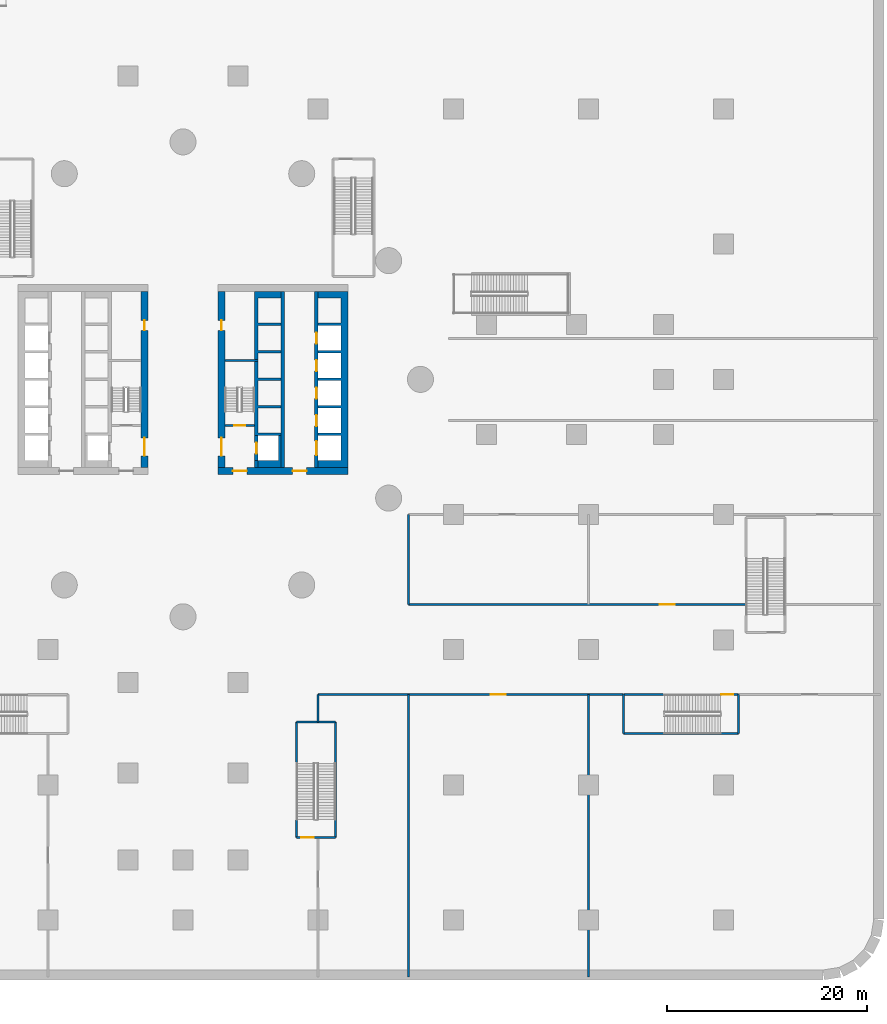
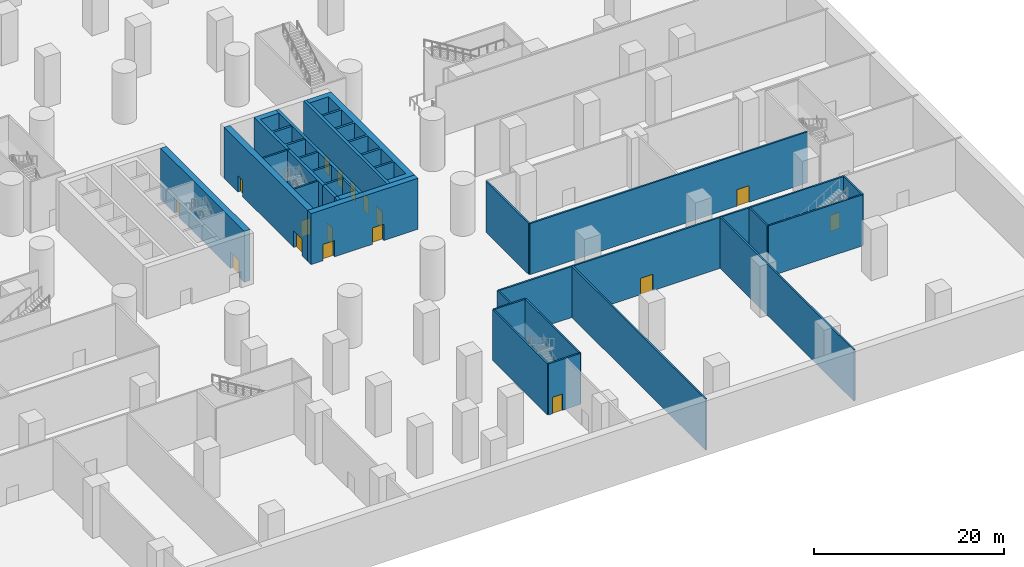
# One storey, part 6 of 30: 26 walls, 17 doors, 17 openings.
"""IFC4 building model written with IfcOpenShell, lengths in metres."""

from ifc_helpers import new_model, si_unit, direction, frame, frame_2d, origin, place, context, subcontext, project, spatial, polyline, rectangle, outline, extrude, material, layer, layer_set, type_object, element, fill, save


model = new_model("IFC4")

# Units and contexts
model_context = context("Model", 3, precision=1e-05, world=origin(), true_north=direction((0.0, 1.0)))
body_context = subcontext(model_context, "Body", "Model", "MODEL_VIEW")
ifc_project = project(units=[si_unit("LENGTHUNIT", "METRE"), si_unit("AREAUNIT", "SQUARE_METRE"), si_unit("VOLUMEUNIT", "CUBIC_METRE"), si_unit("PLANEANGLEUNIT", "RADIAN"), si_unit("MASSUNIT", "GRAM", prefix="KILO")], contexts=[model_context])

# Site, building, storey
site_placement = place(None, origin())
site = spatial("IfcSite", under=ifc_project, at=site_placement, CompositionType="ELEMENT")
building_placement = place(site_placement, origin())
building = spatial("IfcBuilding", under=site, at=building_placement, Name="Tamarind Cross Interchange Tower", CompositionType="ELEMENT")
storey_placement = place(building_placement, frame((0.0, 0.0, -14.0)))
storey = spatial("IfcBuildingStorey", under=building, at=storey_placement, Name="B2", CompositionType="ELEMENT", Elevation=-14.0)

# Wall, openings, doors
ifc_material_1 = material(Name="Concrete C80", Category="concrete")
ifc_layer_1 = layer(ifc_material_1, 0.699951171875)
ifc_layer_set_1 = layer_set([ifc_layer_1], Name="Concrete C80")
wall_type_1 = type_object("IfcWallType", Name="Core wall 700 mm Concrete C80", PredefinedType="SHEAR", material=ifc_layer_set_1)
wall_1_placement = place(storey_placement, frame((-3.85009765625, -8.800048828125, 0.0), z_axis=(0.0, 0.0, 1.0), x_axis=(0.0, 1.0, 0.0)))
wall_1 = element("IfcWall", 1, at=wall_1_placement, inside=storey, type_object=wall_type_1, Name="Core wall CWL-B2-W-IN", PredefinedType="SHEAR", context=body_context, shape_type="SweptSolid", body=[
    extrude(rectangle(XDim=17.60009765625, YDim=0.699951171875, at=frame_2d((8.800048828125, 0.0))), origin(), (0.0, 0.0, 1.0), 6.550048828125),
])
opening_1_placement = place(wall_1_placement, frame((1.14990234375, 0.0, 0.0)))
opening_1 = element("IfcOpeningElement", 2, at=opening_1_placement, cuts=wall_1, Name="Opening DCW4", PredefinedType="OPENING", context=body_context, shape_type="SweptSolid", body=[
    extrude(rectangle(XDim=1.800048828125, YDim=2.10009765625, at=frame_2d((0.89990234375, 1.050048828125))), frame((0.0, 0.35986328125, 0.0), z_axis=(0.0, -1.0, 0.0), x_axis=(1.0, 0.0, 0.0)), (0.0, 0.0, 1.0), 0.719970703125),
])
opening_2_placement = place(wall_1_placement, frame((13.699951171875, 0.0, 0.0)))
opening_2 = element("IfcOpeningElement", 3, at=opening_2_placement, cuts=wall_1, Name="Opening DCW5", PredefinedType="OPENING", context=body_context, shape_type="SweptSolid", body=[
    extrude(rectangle(XDim=1.0, YDim=2.10009765625, at=frame_2d((0.5, 1.050048828125))), frame((0.0, 0.35986328125, 0.0), z_axis=(0.0, -1.0, 0.0), x_axis=(1.0, 0.0, 0.0)), (0.0, 0.0, 1.0), 0.719970703125),
])
ifc_material_2 = material(Name="Steel, fire-resisting", Category="steel")
door_type_1 = type_object("IfcDoorType", Name="Core fire door 1000 x 2100 FD90", OperationType="SINGLE_SWING_LEFT", PredefinedType="DOOR", material=ifc_material_2)
door_1_placement = place(opening_2_placement, origin())
door_1 = element("IfcDoor", 4, at=door_1_placement, inside=storey, type_object=door_type_1, Name="B2 riser room door", OperationType="SINGLE_SWING_LEFT", OverallHeight=2.10009765625, OverallWidth=1.0, PredefinedType="DOOR", context=body_context, shape_type="SweptSolid", body=[
    extrude(rectangle(XDim=1.0, YDim=2.10009765625, at=frame_2d((0.5, 1.050048828125))), frame((0.0, 0.02490234375, 0.0), z_axis=(0.0, -1.0, 0.0), x_axis=(1.0, 0.0, 0.0)), (0.0, 0.0, 1.0), 0.050048828125),
])
fill(opening_2, door_1)
door_type_2 = type_object("IfcDoorType", Name="Core fire door 1800 x 2100 FD90", OperationType="SINGLE_SWING_LEFT", PredefinedType="DOOR", material=ifc_material_2)
door_2_placement = place(opening_1_placement, origin())
door_2 = element("IfcDoor", 5, at=door_2_placement, inside=storey, type_object=door_type_2, Name="B2 firefighting lobby door", OperationType="SINGLE_SWING_LEFT", OverallHeight=2.10009765625, OverallWidth=1.800048828125, PredefinedType="DOOR", context=body_context, shape_type="SweptSolid", body=[
    extrude(rectangle(XDim=1.800048828125, YDim=2.10009765625, at=frame_2d((0.89990234375, 1.050048828125))), frame((0.0, 0.02490234375, 0.0), z_axis=(0.0, -1.0, 0.0), x_axis=(1.0, 0.0, 0.0)), (0.0, 0.0, 1.0), 0.050048828125),
])
fill(opening_1, door_2)

wall_2_placement = place(storey_placement, frame((16.5, -9.14990234375, 0.0), z_axis=(0.0, 0.0, 1.0), x_axis=(-1.0, 0.0, 0.0)))
wall_2 = element("IfcWall", 6, at=wall_2_placement, inside=storey, type_object=wall_type_1, Name="Core wall CWL-B2-E-S", PredefinedType="SHEAR", context=body_context, shape_type="SweptSolid", body=[
    extrude(rectangle(XDim=13.0, YDim=0.699951171875, at=frame_2d((6.5, 0.0))), origin(), (0.0, 0.0, 1.0), 6.550048828125),
])
opening_3_placement = place(wall_2_placement, frame((4.14990234375, 0.0, 0.0)))
opening_3 = element("IfcOpeningElement", 7, at=opening_3_placement, cuts=wall_2, Name="Opening DCE1", PredefinedType="OPENING", context=body_context, shape_type="SweptSolid", body=[
    extrude(rectangle(XDim=1.39990234375, YDim=2.10009765625, at=frame_2d((0.699951171875, 1.050048828125))), frame((0.0, 0.35986328125, 0.0), z_axis=(0.0, -1.0, 0.0), x_axis=(1.0, 0.0, 0.0)), (0.0, 0.0, 1.0), 0.719970703125),
])
opening_4_placement = place(wall_2_placement, frame((10.125, 0.0, 0.0)))
opening_4 = element("IfcOpeningElement", 8, at=opening_4_placement, cuts=wall_2, Name="Opening DCEF", PredefinedType="OPENING", context=body_context, shape_type="SweptSolid", body=[
    extrude(rectangle(XDim=1.39990234375, YDim=2.10009765625, at=frame_2d((0.699951171875, 1.050048828125))), frame((0.0, 0.35986328125, 0.0), z_axis=(0.0, -1.0, 0.0), x_axis=(1.0, 0.0, 0.0)), (0.0, 0.0, 1.0), 0.719970703125),
])
door_type_3 = type_object("IfcDoorType", Name="Core fire door 1400 x 2100 FD90", OperationType="SINGLE_SWING_LEFT", PredefinedType="DOOR", material=ifc_material_2)
door_3_placement = place(opening_3_placement, origin())
door_3 = element("IfcDoor", 9, at=door_3_placement, inside=storey, type_object=door_type_3, Name="B2 lift lobby door", OperationType="SINGLE_SWING_LEFT", OverallHeight=2.10009765625, OverallWidth=1.39990234375, PredefinedType="DOOR", context=body_context, shape_type="SweptSolid", body=[
    extrude(rectangle(XDim=1.39990234375, YDim=2.10009765625, at=frame_2d((0.699951171875, 1.050048828125))), frame((0.0, 0.02490234375, 0.0), z_axis=(0.0, -1.0, 0.0), x_axis=(1.0, 0.0, 0.0)), (0.0, 0.0, 1.0), 0.050048828125),
])
fill(opening_3, door_3)
door_4_placement = place(opening_4_placement, origin())
door_4 = element("IfcDoor", 10, at=door_4_placement, inside=storey, type_object=door_type_3, Name="B2 firefighting lobby end door", OperationType="SINGLE_SWING_LEFT", OverallHeight=2.10009765625, OverallWidth=1.39990234375, PredefinedType="DOOR", context=body_context, shape_type="SweptSolid", body=[
    extrude(rectangle(XDim=1.39990234375, YDim=2.10009765625, at=frame_2d((0.699951171875, 1.050048828125))), frame((0.0, 0.02490234375, 0.0), z_axis=(0.0, -1.0, 0.0), x_axis=(1.0, 0.0, 0.0)), (0.0, 0.0, 1.0), 0.050048828125),
])
fill(opening_4, door_4)

# Wall
wall_3_placement = place(storey_placement, origin())
element("IfcWall", 11, at=wall_3_placement, inside=storey, type_object=wall_type_1, Name="Core wall CWL-B2-E-A", PredefinedType="SHEAR", context=body_context, shape_type="SweptSolid", body=[
    extrude(outline(polyline([(13.5, -8.800048828125), (15.800048828125, -8.800048828125), (16.5, -8.800048828125), (16.5, 8.800048828125), (15.800048828125, 8.800048828125), (13.5, 8.800048828125), (13.5, 8.125), (15.800048828125, 8.125), (15.800048828125, 5.625), (13.5, 5.625), (13.5, 5.375), (15.800048828125, 5.375), (15.800048828125, 2.875), (13.5, 2.875), (13.5, 2.625), (15.800048828125, 2.625), (15.800048828125, 0.125), (13.5, 0.125), (13.5, -0.125), (15.800048828125, -0.125), (15.800048828125, -2.625), (13.5, -2.625), (13.5, -2.875), (15.800048828125, -2.875), (15.800048828125, -5.375), (13.5, -5.375), (13.5, -5.625), (15.800048828125, -5.625), (15.800048828125, -8.125), (13.5, -8.125), (13.5, -8.800048828125)])), origin(), (0.0, 0.0, 1.0), 6.550048828125),
])

# Wall, openings, doors
wall_4_placement = place(storey_placement, frame((3.85009765625, -8.800048828125, 0.0), z_axis=(0.0, 0.0, 1.0), x_axis=(0.0, 1.0, 0.0)))
wall_4 = element("IfcWall", 12, at=wall_4_placement, inside=storey, type_object=wall_type_1, Name="Core wall CWL-B2-E-IN", PredefinedType="SHEAR", context=body_context, shape_type="SweptSolid", body=[
    extrude(rectangle(XDim=17.60009765625, YDim=0.699951171875, at=frame_2d((8.800048828125, 0.0))), origin(), (0.0, 0.0, 1.0), 6.550048828125),
])
opening_5_placement = place(wall_4_placement, frame((1.14990234375, 0.0, 0.0)))
opening_5 = element("IfcOpeningElement", 13, at=opening_5_placement, cuts=wall_4, Name="Opening DCE4", PredefinedType="OPENING", context=body_context, shape_type="SweptSolid", body=[
    extrude(rectangle(XDim=1.800048828125, YDim=2.10009765625, at=frame_2d((0.89990234375, 1.050048828125))), frame((0.0, 0.35986328125, 0.0), z_axis=(0.0, -1.0, 0.0), x_axis=(1.0, 0.0, 0.0)), (0.0, 0.0, 1.0), 0.719970703125),
])
opening_6_placement = place(wall_4_placement, frame((13.699951171875, 0.0, 0.0)))
opening_6 = element("IfcOpeningElement", 14, at=opening_6_placement, cuts=wall_4, Name="Opening DCE5", PredefinedType="OPENING", context=body_context, shape_type="SweptSolid", body=[
    extrude(rectangle(XDim=1.0, YDim=2.10009765625, at=frame_2d((0.5, 1.050048828125))), frame((0.0, 0.35986328125, 0.0), z_axis=(0.0, -1.0, 0.0), x_axis=(1.0, 0.0, 0.0)), (0.0, 0.0, 1.0), 0.719970703125),
])
door_5_placement = place(opening_6_placement, origin())
door_5 = element("IfcDoor", 15, at=door_5_placement, inside=storey, type_object=door_type_1, Name="B2 riser room door", OperationType="SINGLE_SWING_LEFT", OverallHeight=2.10009765625, OverallWidth=1.0, PredefinedType="DOOR", context=body_context, shape_type="SweptSolid", body=[
    extrude(rectangle(XDim=1.0, YDim=2.10009765625, at=frame_2d((0.5, 1.050048828125))), frame((0.0, 0.02490234375, 0.0), z_axis=(0.0, -1.0, 0.0), x_axis=(1.0, 0.0, 0.0)), (0.0, 0.0, 1.0), 0.050048828125),
])
fill(opening_6, door_5)
door_6_placement = place(opening_5_placement, origin())
door_6 = element("IfcDoor", 16, at=door_6_placement, inside=storey, type_object=door_type_2, Name="B2 firefighting lobby door", OperationType="SINGLE_SWING_LEFT", OverallHeight=2.10009765625, OverallWidth=1.800048828125, PredefinedType="DOOR", context=body_context, shape_type="SweptSolid", body=[
    extrude(rectangle(XDim=1.800048828125, YDim=2.10009765625, at=frame_2d((0.89990234375, 1.050048828125))), frame((0.0, 0.02490234375, 0.0), z_axis=(0.0, -1.0, 0.0), x_axis=(1.0, 0.0, 0.0)), (0.0, 0.0, 1.0), 0.050048828125),
])
fill(opening_5, door_6)

# Walls
ifc_layer_2 = layer(ifc_material_1, 0.199951171875)
ifc_layer_set_2 = layer_set([ifc_layer_2], Name="Concrete C80")
wall_type_2 = type_object("IfcWallType", Name="Core web wall 200 mm Concrete C80", PredefinedType="SHEAR", material=ifc_layer_set_2)
wall_5_placement = place(storey_placement, frame((7.5, 1.89990234375, 0.0), z_axis=(0.0, 0.0, 1.0), x_axis=(-1.0, 0.0, 0.0)))
element("IfcWall", 17, at=wall_5_placement, inside=storey, type_object=wall_type_2, Name="Core wall CWL-B2-E-BD", PredefinedType="SHEAR", context=body_context, shape_type="SweptSolid", body=[
    extrude(rectangle(XDim=3.300048828125, YDim=0.199951171875, at=frame_2d((1.64990234375, 0.0))), origin(), (0.0, 0.0, 1.0), 6.550048828125),
])
ifc_layer_3 = layer(ifc_material_1, 0.35009765625)
ifc_layer_set_3 = layer_set([ifc_layer_3], Name="Concrete C80")
wall_type_3 = type_object("IfcWallType", Name="Core web wall 350 mm Concrete C80", PredefinedType="SHEAR", material=ifc_layer_set_3)
wall_6_placement = place(storey_placement, origin())
element("IfcWall", 18, at=wall_6_placement, inside=storey, type_object=wall_type_3, Name="Core wall CWL-B2-E-BN", PredefinedType="SHEAR", context=body_context, shape_type="SweptSolid", body=[
    extrude(outline(polyline([(9.800048828125, -5.375), (7.5, -5.375), (7.5, -2.875), (9.800048828125, -2.875), (9.800048828125, -2.625), (7.5, -2.625), (7.5, -0.125), (9.800048828125, -0.125), (9.800048828125, 0.125), (7.5, 0.125), (7.5, 2.625), (9.800048828125, 2.625), (9.800048828125, 2.875), (7.5, 2.875), (7.5, 5.375), (9.800048828125, 5.375), (9.800048828125, 5.625), (7.5, 5.625), (7.5, 8.125), (9.800048828125, 8.125), (9.800048828125, 8.800048828125), (7.5, 8.800048828125), (7.14990234375, 8.800048828125), (7.14990234375, -5.625), (7.5, -5.625), (9.800048828125, -5.625), (9.800048828125, -5.375)])), origin(), (0.0, 0.0, 1.0), 6.550048828125),
])
wall_7_placement = place(storey_placement, origin())
element("IfcWall", 19, at=wall_7_placement, inside=storey, type_object=wall_type_3, Name="Core wall CWL-B2-E-BS", PredefinedType="SHEAR", context=body_context, shape_type="SweptSolid", body=[
    extrude(outline(polyline([(7.5, -8.125), (7.5, -8.800048828125), (9.800048828125, -8.800048828125), (9.800048828125, -8.125), (9.800048828125, -5.625), (9.550048828125, -5.625), (9.550048828125, -8.125), (7.5, -8.125)])), origin(), (0.0, 0.0, 1.0), 6.550048828125),
])
wall_8_placement = place(storey_placement, frame((7.324951171875, -8.800048828125, 0.0), z_axis=(0.0, 0.0, 1.0), x_axis=(0.0, 1.0, 0.0)))
element("IfcWall", 20, at=wall_8_placement, inside=storey, type_object=wall_type_3, Name="Core wall CWL-B2-E-BW", PredefinedType="SHEAR", context=body_context, shape_type="SweptSolid", body=[
    extrude(rectangle(XDim=0.675048828125, YDim=0.35009765625, at=frame_2d((0.33740234375, 0.0))), origin(), (0.0, 0.0, 1.0), 6.550048828125),
])

# Wall, openings, doors
wall_9_placement = place(storey_placement, frame((13.324951171875, -8.800048828125, 0.0), z_axis=(0.0, 0.0, 1.0), x_axis=(0.0, 1.0, 0.0)))
wall_9 = element("IfcWall", 21, at=wall_9_placement, inside=storey, type_object=wall_type_3, Name="Core wall CWL-B2-E-LA", PredefinedType="SHEAR", context=body_context, shape_type="SweptSolid", body=[
    extrude(rectangle(XDim=17.60009765625, YDim=0.35009765625, at=frame_2d((8.800048828125, 0.0))), origin(), (0.0, 0.0, 1.0), 6.550048828125),
])
opening_7_placement = place(wall_9_placement, frame((1.22509765625, 0.0, 0.0)))
opening_7 = element("IfcOpeningElement", 22, at=opening_7_placement, cuts=wall_9, Name="Opening LD13B2", PredefinedType="OPENING", context=body_context, shape_type="SweptSolid", body=[
    extrude(rectangle(XDim=1.39990234375, YDim=2.10009765625, at=frame_2d((0.699951171875, 1.050048828125))), frame((0.0, 0.18505859375, 0.0), z_axis=(0.0, -1.0, 0.0), x_axis=(1.0, 0.0, 0.0)), (0.0, 0.0, 1.0), 0.3701171875),
])
opening_8_placement = place(wall_9_placement, frame((4.125, 0.0, 0.0)))
opening_8 = element("IfcOpeningElement", 23, at=opening_8_placement, cuts=wall_9, Name="Opening LD14B2", PredefinedType="OPENING", context=body_context, shape_type="SweptSolid", body=[
    extrude(rectangle(XDim=1.10009765625, YDim=2.10009765625, at=frame_2d((0.550048828125, 1.050048828125))), frame((0.0, 0.18505859375, 0.0), z_axis=(0.0, -1.0, 0.0), x_axis=(1.0, 0.0, 0.0)), (0.0, 0.0, 1.0), 0.3701171875),
])
opening_9_placement = place(wall_9_placement, frame((6.875, 0.0, 0.0)))
opening_9 = element("IfcOpeningElement", 24, at=opening_9_placement, cuts=wall_9, Name="Opening LD15B2", PredefinedType="OPENING", context=body_context, shape_type="SweptSolid", body=[
    extrude(rectangle(XDim=1.10009765625, YDim=2.10009765625, at=frame_2d((0.550048828125, 1.050048828125))), frame((0.0, 0.18505859375, 0.0), z_axis=(0.0, -1.0, 0.0), x_axis=(1.0, 0.0, 0.0)), (0.0, 0.0, 1.0), 0.3701171875),
])
opening_10_placement = place(wall_9_placement, frame((9.625, 0.0, 0.0)))
opening_10 = element("IfcOpeningElement", 25, at=opening_10_placement, cuts=wall_9, Name="Opening LD16B2", PredefinedType="OPENING", context=body_context, shape_type="SweptSolid", body=[
    extrude(rectangle(XDim=1.10009765625, YDim=2.10009765625, at=frame_2d((0.550048828125, 1.050048828125))), frame((0.0, 0.18505859375, 0.0), z_axis=(0.0, -1.0, 0.0), x_axis=(1.0, 0.0, 0.0)), (0.0, 0.0, 1.0), 0.3701171875),
])
opening_11_placement = place(wall_9_placement, frame((12.375, 0.0, 0.0)))
opening_11 = element("IfcOpeningElement", 26, at=opening_11_placement, cuts=wall_9, Name="Opening LD17B2", PredefinedType="OPENING", context=body_context, shape_type="SweptSolid", body=[
    extrude(rectangle(XDim=1.10009765625, YDim=2.10009765625, at=frame_2d((0.550048828125, 1.050048828125))), frame((0.0, 0.18505859375, 0.0), z_axis=(0.0, -1.0, 0.0), x_axis=(1.0, 0.0, 0.0)), (0.0, 0.0, 1.0), 0.3701171875),
])
ifc_material_3 = material(Name="Stainless steel panel", Category="steel")
door_type_4 = type_object("IfcDoorType", Name="Lift landing door 1100 x 2100 E 120", OperationType="SLIDING_TO_LEFT", PredefinedType="DOOR", material=ifc_material_3)
door_7_placement = place(opening_8_placement, origin())
door_7 = element("IfcDoor", 27, at=door_7_placement, inside=storey, type_object=door_type_4, Name="B2 landing door LF14", OperationType="SLIDING_TO_LEFT", OverallHeight=2.10009765625, OverallWidth=1.10009765625, PredefinedType="DOOR", context=body_context, shape_type="SweptSolid", body=[
    extrude(rectangle(XDim=1.10009765625, YDim=2.10009765625, at=frame_2d((0.550048828125, 1.050048828125))), frame((0.0, 0.02490234375, 0.0), z_axis=(0.0, -1.0, 0.0), x_axis=(1.0, 0.0, 0.0)), (0.0, 0.0, 1.0), 0.050048828125),
])
fill(opening_8, door_7)
door_8_placement = place(opening_9_placement, origin())
door_8 = element("IfcDoor", 28, at=door_8_placement, inside=storey, type_object=door_type_4, Name="B2 landing door LF15", OperationType="SLIDING_TO_LEFT", OverallHeight=2.10009765625, OverallWidth=1.10009765625, PredefinedType="DOOR", context=body_context, shape_type="SweptSolid", body=[
    extrude(rectangle(XDim=1.10009765625, YDim=2.10009765625, at=frame_2d((0.550048828125, 1.050048828125))), frame((0.0, 0.02490234375, 0.0), z_axis=(0.0, -1.0, 0.0), x_axis=(1.0, 0.0, 0.0)), (0.0, 0.0, 1.0), 0.050048828125),
])
fill(opening_9, door_8)
door_9_placement = place(opening_10_placement, origin())
door_9 = element("IfcDoor", 29, at=door_9_placement, inside=storey, type_object=door_type_4, Name="B2 landing door LF16", OperationType="SLIDING_TO_LEFT", OverallHeight=2.10009765625, OverallWidth=1.10009765625, PredefinedType="DOOR", context=body_context, shape_type="SweptSolid", body=[
    extrude(rectangle(XDim=1.10009765625, YDim=2.10009765625, at=frame_2d((0.550048828125, 1.050048828125))), frame((0.0, 0.02490234375, 0.0), z_axis=(0.0, -1.0, 0.0), x_axis=(1.0, 0.0, 0.0)), (0.0, 0.0, 1.0), 0.050048828125),
])
fill(opening_10, door_9)
door_10_placement = place(opening_11_placement, origin())
door_10 = element("IfcDoor", 30, at=door_10_placement, inside=storey, type_object=door_type_4, Name="B2 landing door LF17", OperationType="SLIDING_TO_LEFT", OverallHeight=2.10009765625, OverallWidth=1.10009765625, PredefinedType="DOOR", context=body_context, shape_type="SweptSolid", body=[
    extrude(rectangle(XDim=1.10009765625, YDim=2.10009765625, at=frame_2d((0.550048828125, 1.050048828125))), frame((0.0, 0.02490234375, 0.0), z_axis=(0.0, -1.0, 0.0), x_axis=(1.0, 0.0, 0.0)), (0.0, 0.0, 1.0), 0.050048828125),
])
fill(opening_11, door_10)
door_type_5 = type_object("IfcDoorType", Name="Lift landing door 1400 x 2100 E 120", OperationType="SLIDING_TO_LEFT", PredefinedType="DOOR", material=ifc_material_3)
door_11_placement = place(opening_7_placement, origin())
door_11 = element("IfcDoor", 31, at=door_11_placement, inside=storey, type_object=door_type_5, Name="B2 landing door LF13", OperationType="SLIDING_TO_LEFT", OverallHeight=2.10009765625, OverallWidth=1.39990234375, PredefinedType="DOOR", context=body_context, shape_type="SweptSolid", body=[
    extrude(rectangle(XDim=1.39990234375, YDim=2.10009765625, at=frame_2d((0.699951171875, 1.050048828125))), frame((0.0, 0.02490234375, 0.0), z_axis=(0.0, -1.0, 0.0), x_axis=(1.0, 0.0, 0.0)), (0.0, 0.0, 1.0), 0.050048828125),
])
fill(opening_7, door_11)

# Wall
wall_10_placement = place(storey_placement, frame((9.97509765625, -8.800048828125, 0.0), z_axis=(0.0, 0.0, 1.0), x_axis=(0.0, 1.0, 0.0)))
element("IfcWall", 32, at=wall_10_placement, inside=storey, type_object=wall_type_3, Name="Core wall CWL-B2-E-LB", PredefinedType="SHEAR", context=body_context, shape_type="SweptSolid", body=[
    extrude(rectangle(XDim=17.60009765625, YDim=0.35009765625, at=frame_2d((8.800048828125, 0.0))), origin(), (0.0, 0.0, 1.0), 6.550048828125),
])

# Wall, opening, door
wall_11_placement = place(storey_placement, frame((7.324951171875, -8.125, 0.0), z_axis=(0.0, 0.0, 1.0), x_axis=(0.0, 1.0, 0.0)))
wall_11 = element("IfcWall", 33, at=wall_11_placement, inside=storey, type_object=wall_type_3, Name="Core wall CWL-B2-E-FF", PredefinedType="SHEAR", context=body_context, shape_type="SweptSolid", body=[
    extrude(rectangle(XDim=2.5, YDim=0.35009765625, at=frame_2d((1.25, 0.0))), origin(), (0.0, 0.0, 1.0), 6.550048828125),
])
opening_12_placement = place(wall_11_placement, frame((0.699951171875, 0.0, 0.0)))
opening_12 = element("IfcOpeningElement", 34, at=opening_12_placement, cuts=wall_11, Name="Opening LD19B2", PredefinedType="OPENING", context=body_context, shape_type="SweptSolid", body=[
    extrude(rectangle(XDim=1.10009765625, YDim=2.10009765625, at=frame_2d((0.550048828125, 1.050048828125))), frame((0.0, 0.18505859375, 0.0), z_axis=(0.0, -1.0, 0.0), x_axis=(1.0, 0.0, 0.0)), (0.0, 0.0, 1.0), 0.3701171875),
])
door_12_placement = place(opening_12_placement, origin())
door_12 = element("IfcDoor", 35, at=door_12_placement, inside=storey, type_object=door_type_4, Name="B2 landing door LF19", OperationType="SLIDING_TO_LEFT", OverallHeight=2.10009765625, OverallWidth=1.10009765625, PredefinedType="DOOR", context=body_context, shape_type="SweptSolid", body=[
    extrude(rectangle(XDim=1.10009765625, YDim=2.10009765625, at=frame_2d((0.550048828125, 1.050048828125))), frame((0.0, 0.02490234375, 0.0), z_axis=(0.0, -1.0, 0.0), x_axis=(1.0, 0.0, 0.0)), (0.0, 0.0, 1.0), 0.050048828125),
])
fill(opening_12, door_12)

# Wall
ifc_material_4 = material(Name="Masonry partition, fire-rated", Category="masonry")
ifc_layer_4 = layer(ifc_material_4, 0.199951171875)
ifc_layer_set_4 = layer_set([ifc_layer_4], Name="Masonry partition, fire-rated")
wall_type_4 = type_object("IfcWallType", Name="Fire partition 200 EI 120", PredefinedType="PARTITIONING", material=ifc_layer_set_4)
wall_12_placement = place(storey_placement, frame((13.5, -34.219970703125, 0.0), z_axis=(0.0, 0.0, 1.0), x_axis=(0.0, 1.0, 0.0)))
element("IfcWall", 36, at=wall_12_placement, inside=storey, type_object=wall_type_4, Name="B2 partition 66", PredefinedType="PARTITIONING", context=body_context, shape_type="SweptSolid", body=[
    extrude(rectangle(XDim=2.719970703125, YDim=0.199951171875, at=frame_2d((1.35986328125, 0.0))), origin(), (0.0, 0.0, 1.0), 6.550048828125),
])

# Wall, opening, door
wall_13_placement = place(storey_placement, frame((13.5, -31.5, 0.0), z_axis=(0.0, 0.0, 1.0), x_axis=(1.0, 0.0, 0.0)))
wall_13 = element("IfcWall", 37, at=wall_13_placement, inside=storey, type_object=wall_type_4, Name="B2 partition 67", PredefinedType="PARTITIONING", context=body_context, shape_type="SweptSolid", body=[
    extrude(rectangle(XDim=30.469970703125, YDim=0.199951171875, at=frame_2d((15.23486328125, 0.0))), origin(), (0.0, 0.0, 1.0), 6.550048828125),
])
opening_13_placement = place(wall_13_placement, frame((17.25, 0.0, 0.0)))
opening_13 = element("IfcOpeningElement", 38, at=opening_13_placement, cuts=wall_13, Name="Opening DB2-25", PredefinedType="OPENING", context=body_context, shape_type="SweptSolid", body=[
    extrude(rectangle(XDim=1.5, YDim=2.10009765625, at=frame_2d((0.75, 1.050048828125))), frame((0.0, 0.10986328125, 0.0), z_axis=(0.0, -1.0, 0.0), x_axis=(1.0, 0.0, 0.0)), (0.0, 0.0, 1.0), 0.219970703125),
])
door_type_6 = type_object("IfcDoorType", Name="Podium door 1500 x 2100 FD60", OperationType="SINGLE_SWING_LEFT", PredefinedType="DOOR", material=ifc_material_2)
door_13_placement = place(opening_13_placement, origin())
door_13 = element("IfcDoor", 39, at=door_13_placement, inside=storey, type_object=door_type_6, Name="B2 door Fire Pump Room B212", OperationType="SINGLE_SWING_LEFT", OverallHeight=2.10009765625, OverallWidth=1.5, PredefinedType="DOOR", context=body_context, shape_type="SweptSolid", body=[
    extrude(rectangle(XDim=1.5, YDim=2.10009765625, at=frame_2d((0.75, 1.050048828125))), frame((0.0, 0.02490234375, 0.0), z_axis=(0.0, -1.0, 0.0), x_axis=(1.0, 0.0, 0.0)), (0.0, 0.0, 1.0), 0.050048828125),
])
fill(opening_13, door_13)

# Walls
for number, where, z_axis, x_axis, name in (
    (40, (22.5, -59.698974609375, 0.0), (0.0, 0.0, 1.0), (0.0, 1.0, 0.0), "B2 partition 68"),
    (41, (40.5, -59.698974609375, 0.0), (0.0, 0.0, 1.0), (0.0, 1.0, 0.0), "B2 partition 69"),
):
    element("IfcWall", number, at=place(storey_placement, frame(where, z_axis=z_axis, x_axis=x_axis)), inside=storey, type_object=wall_type_4, Name=name, PredefinedType="PARTITIONING", context=body_context, shape_type="SweptSolid", body=[
        extrude(rectangle(XDim=28.198974609375, YDim=0.199951171875, at=frame_2d((14.099609375, 0.0))), origin(), (0.0, 0.0, 1.0), 6.550048828125),
    ])

# Wall, opening, door
wall_14_placement = place(storey_placement, frame((22.5, -22.5, 0.0), z_axis=(0.0, 0.0, 1.0), x_axis=(1.0, 0.0, 0.0)))
wall_14 = element("IfcWall", 42, at=wall_14_placement, inside=storey, type_object=wall_type_4, Name="B2 partition 70", PredefinedType="PARTITIONING", context=body_context, shape_type="SweptSolid", body=[
    extrude(rectangle(XDim=33.719970703125, YDim=0.199951171875, at=frame_2d((16.85986328125, 0.0))), origin(), (0.0, 0.0, 1.0), 6.550048828125),
])
opening_14_placement = place(wall_14_placement, frame((25.125, 0.0, 0.0)))
opening_14 = element("IfcOpeningElement", 43, at=opening_14_placement, cuts=wall_14, Name="Opening DB2-22", PredefinedType="OPENING", context=body_context, shape_type="SweptSolid", body=[
    extrude(rectangle(XDim=1.5, YDim=2.10009765625, at=frame_2d((0.75, 1.050048828125))), frame((0.0, 0.10986328125, 0.0), z_axis=(0.0, -1.0, 0.0), x_axis=(1.0, 0.0, 0.0)), (0.0, 0.0, 1.0), 0.219970703125),
])
door_type_7 = type_object("IfcDoorType", Name="Podium door 1500 x 2100 FD90", OperationType="SINGLE_SWING_LEFT", PredefinedType="DOOR", material=ifc_material_2)
door_14_placement = place(opening_14_placement, origin())
door_14 = element("IfcDoor", 44, at=door_14_placement, inside=storey, type_object=door_type_7, Name="B2 door Air Handling Plant Room B209", OperationType="SINGLE_SWING_RIGHT", OverallHeight=2.10009765625, OverallWidth=1.5, PredefinedType="DOOR", context=body_context, shape_type="SweptSolid", body=[
    extrude(rectangle(XDim=1.5, YDim=2.10009765625, at=frame_2d((0.75, 1.050048828125))), frame((0.0, 0.02490234375, 0.0), z_axis=(0.0, -1.0, 0.0), x_axis=(1.0, 0.0, 0.0)), (0.0, 0.0, 1.0), 0.050048828125),
])
fill(opening_14, door_14)

# Walls
wall_15_placement = place(storey_placement, frame((22.5, -22.5, 0.0), z_axis=(0.0, 0.0, 1.0), x_axis=(0.0, 1.0, 0.0)))
element("IfcWall", 45, at=wall_15_placement, inside=storey, type_object=wall_type_4, Name="B2 partition 72", PredefinedType="PARTITIONING", context=body_context, shape_type="SweptSolid", body=[
    extrude(rectangle(XDim=9.0, YDim=0.199951171875, at=frame_2d((4.5, 0.0))), origin(), (0.0, 0.0, 1.0), 6.550048828125),
])
ifc_material_5 = material(Name="Concrete C40", Category="concrete")
ifc_layer_5 = layer(ifc_material_5, 0.199951171875)
ifc_layer_set_5 = layer_set([ifc_layer_5], Name="Concrete C40")
wall_type_5 = type_object("IfcWallType", Name="Stair shaft wall 200 EI 180", PredefinedType="PARTITIONING", material=ifc_layer_set_5)
wall_16_placement = place(storey_placement, frame((11.35009765625, -45.75, 0.0), z_axis=(0.0, 0.0, 1.0), x_axis=(0.0, 1.0, 0.0)))
element("IfcWall", 46, at=wall_16_placement, inside=storey, type_object=wall_type_5, Name="B2 stair shaft wall 25", PredefinedType="PARTITIONING", context=body_context, shape_type="SweptSolid", body=[
    extrude(rectangle(XDim=11.5, YDim=0.199951171875, at=frame_2d((5.75, 0.0))), origin(), (0.0, 0.0, 1.0), 6.550048828125),
])
wall_17_placement = place(storey_placement, frame((11.35009765625, -34.25, 0.0), z_axis=(0.0, 0.0, 1.0), x_axis=(1.0, 0.0, 0.0)))
element("IfcWall", 47, at=wall_17_placement, inside=storey, type_object=wall_type_5, Name="B2 stair shaft wall 26", PredefinedType="PARTITIONING", context=body_context, shape_type="SweptSolid", body=[
    extrude(rectangle(XDim=3.89990234375, YDim=0.199951171875, at=frame_2d((1.949951171875, 0.0))), origin(), (0.0, 0.0, 1.0), 6.550048828125),
])
wall_18_placement = place(storey_placement, frame((15.25, -45.75, 0.0), z_axis=(0.0, 0.0, 1.0), x_axis=(0.0, 1.0, 0.0)))
element("IfcWall", 48, at=wall_18_placement, inside=storey, type_object=wall_type_5, Name="B2 stair shaft wall 27", PredefinedType="PARTITIONING", context=body_context, shape_type="SweptSolid", body=[
    extrude(rectangle(XDim=11.5, YDim=0.199951171875, at=frame_2d((5.75, 0.0))), origin(), (0.0, 0.0, 1.0), 6.550048828125),
])

# Wall, opening, door
wall_19_placement = place(storey_placement, frame((11.35009765625, -45.75, 0.0), z_axis=(0.0, 0.0, 1.0), x_axis=(1.0, 0.0, 0.0)))
wall_19 = element("IfcWall", 49, at=wall_19_placement, inside=storey, type_object=wall_type_5, Name="B2 stair shaft wall 28", PredefinedType="PARTITIONING", context=body_context, shape_type="SweptSolid", body=[
    extrude(rectangle(XDim=3.89990234375, YDim=0.199951171875, at=frame_2d((1.949951171875, 0.0))), origin(), (0.0, 0.0, 1.0), 6.550048828125),
])
opening_15_placement = place(wall_19_placement, frame((0.485107421875, 0.0, 0.0)))
opening_15 = element("IfcOpeningElement", 50, at=opening_15_placement, cuts=wall_19, Name="Opening DB2-13", PredefinedType="OPENING", context=body_context, shape_type="SweptSolid", body=[
    extrude(rectangle(XDim=1.199951171875, YDim=2.10009765625, at=frame_2d((0.60009765625, 1.050048828125))), frame((0.0, 0.10986328125, 0.0), z_axis=(0.0, -1.0, 0.0), x_axis=(1.0, 0.0, 0.0)), (0.0, 0.0, 1.0), 0.219970703125),
])
door_type_8 = type_object("IfcDoorType", Name="Podium door 1200 x 2100 FD90", OperationType="SINGLE_SWING_LEFT", PredefinedType="DOOR", material=ifc_material_2)
door_15_placement = place(opening_15_placement, origin())
door_15 = element("IfcDoor", 51, at=door_15_placement, inside=storey, type_object=door_type_8, Name="B2 door Exit Stair PX12", OperationType="SINGLE_SWING_LEFT", OverallHeight=2.10009765625, OverallWidth=1.199951171875, PredefinedType="DOOR", context=body_context, shape_type="SweptSolid", body=[
    extrude(rectangle(XDim=1.199951171875, YDim=2.10009765625, at=frame_2d((0.60009765625, 1.050048828125))), frame((0.0, 0.02490234375, 0.0), z_axis=(0.0, -1.0, 0.0), x_axis=(1.0, 0.0, 0.0)), (0.0, 0.0, 1.0), 0.050048828125),
])
fill(opening_15, door_15)

# Walls
wall_20_placement = place(storey_placement, frame((44.0, -35.39990234375, 0.0), z_axis=(0.0, 0.0, 1.0), x_axis=(1.0, 0.0, 0.0)))
element("IfcWall", 52, at=wall_20_placement, inside=storey, type_object=wall_type_5, Name="B2 stair shaft wall 37", PredefinedType="PARTITIONING", context=body_context, shape_type="SweptSolid", body=[
    extrude(rectangle(XDim=11.5, YDim=0.199951171875, at=frame_2d((5.75, 0.0))), origin(), (0.0, 0.0, 1.0), 6.550048828125),
])
wall_21_placement = place(storey_placement, frame((44.0, -35.39990234375, 0.0), z_axis=(0.0, 0.0, 1.0), x_axis=(0.0, 1.0, 0.0)))
element("IfcWall", 53, at=wall_21_placement, inside=storey, type_object=wall_type_5, Name="B2 stair shaft wall 38", PredefinedType="PARTITIONING", context=body_context, shape_type="SweptSolid", body=[
    extrude(rectangle(XDim=3.89990234375, YDim=0.199951171875, at=frame_2d((1.949951171875, 0.0))), origin(), (0.0, 0.0, 1.0), 6.550048828125),
])

# Wall, opening, door
wall_22_placement = place(storey_placement, frame((44.0, -31.5, 0.0), z_axis=(0.0, 0.0, 1.0), x_axis=(1.0, 0.0, 0.0)))
wall_22 = element("IfcWall", 54, at=wall_22_placement, inside=storey, type_object=wall_type_5, Name="B2 stair shaft wall 39", PredefinedType="PARTITIONING", context=body_context, shape_type="SweptSolid", body=[
    extrude(rectangle(XDim=11.5, YDim=0.199951171875, at=frame_2d((5.75, 0.0))), origin(), (0.0, 0.0, 1.0), 6.550048828125),
])
opening_16_placement = place(wall_22_placement, frame((9.785888671875, 0.0, 0.0)))
opening_16 = element("IfcOpeningElement", 55, at=opening_16_placement, cuts=wall_22, Name="Opening DB2-11", PredefinedType="OPENING", context=body_context, shape_type="SweptSolid", body=[
    extrude(rectangle(XDim=1.199951171875, YDim=2.10009765625, at=frame_2d((0.60009765625, 1.050048828125))), frame((0.0, 0.10986328125, 0.0), z_axis=(0.0, -1.0, 0.0), x_axis=(1.0, 0.0, 0.0)), (0.0, 0.0, 1.0), 0.219970703125),
])
door_16_placement = place(opening_16_placement, origin())
door_16 = element("IfcDoor", 56, at=door_16_placement, inside=storey, type_object=door_type_8, Name="B2 door Exit Stair PX10", OperationType="SINGLE_SWING_LEFT", OverallHeight=2.10009765625, OverallWidth=1.199951171875, PredefinedType="DOOR", context=body_context, shape_type="SweptSolid", body=[
    extrude(rectangle(XDim=1.199951171875, YDim=2.10009765625, at=frame_2d((0.60009765625, 1.050048828125))), frame((0.0, 0.02490234375, 0.0), z_axis=(0.0, -1.0, 0.0), x_axis=(1.0, 0.0, 0.0)), (0.0, 0.0, 1.0), 0.050048828125),
])
fill(opening_16, door_16)

# Wall
wall_23_placement = place(storey_placement, frame((55.5, -35.39990234375, 0.0), z_axis=(0.0, 0.0, 1.0), x_axis=(0.0, 1.0, 0.0)))
element("IfcWall", 57, at=wall_23_placement, inside=storey, type_object=wall_type_5, Name="B2 stair shaft wall 40", PredefinedType="PARTITIONING", context=body_context, shape_type="SweptSolid", body=[
    extrude(rectangle(XDim=3.89990234375, YDim=0.199951171875, at=frame_2d((1.949951171875, 0.0))), origin(), (0.0, 0.0, 1.0), 6.550048828125),
])

# Wall, opening, door
ifc_layer_6 = layer(ifc_material_5, 0.199951171875)
ifc_layer_set_6 = layer_set([ifc_layer_6], Name="Concrete C40")
wall_type_6 = type_object("IfcWallType", Name="Stair shaft wall 200 mm Concrete C40", PredefinedType="SHEAR", material=ifc_layer_set_6)
wall_24_placement = place(storey_placement, frame((7.14990234375, -4.60009765625, 0.0), z_axis=(0.0, 0.0, 1.0), x_axis=(-1.0, 0.0, 0.0)))
wall_24 = element("IfcWall", 58, at=wall_24_placement, inside=storey, type_object=wall_type_6, Name="Core wall CWL-B2-E-SD", PredefinedType="SHEAR", context=body_context, shape_type="SweptSolid", body=[
    extrude(rectangle(XDim=2.949951171875, YDim=0.199951171875, at=frame_2d((1.47509765625, 0.0))), origin(), (0.0, 0.0, 1.0), 6.550048828125),
])
opening_17_placement = place(wall_24_placement, frame((0.925048828125, 0.0, 0.0)))
opening_17 = element("IfcOpeningElement", 59, at=opening_17_placement, cuts=wall_24, Name="Opening DCE6", PredefinedType="OPENING", context=body_context, shape_type="SweptSolid", body=[
    extrude(rectangle(XDim=1.10009765625, YDim=2.10009765625, at=frame_2d((0.550048828125, 1.050048828125))), frame((0.0, 0.10986328125, 0.0), z_axis=(0.0, -1.0, 0.0), x_axis=(1.0, 0.0, 0.0)), (0.0, 0.0, 1.0), 0.219970703125),
])
door_type_9 = type_object("IfcDoorType", Name="Core fire door 1100 x 2100 FD90", OperationType="SINGLE_SWING_LEFT", PredefinedType="DOOR", material=ifc_material_2)
door_17_placement = place(opening_17_placement, origin())
door_17 = element("IfcDoor", 60, at=door_17_placement, inside=storey, type_object=door_type_9, Name="B2 stair door", OperationType="SINGLE_SWING_LEFT", OverallHeight=2.10009765625, OverallWidth=1.10009765625, PredefinedType="DOOR", context=body_context, shape_type="SweptSolid", body=[
    extrude(rectangle(XDim=1.10009765625, YDim=2.10009765625, at=frame_2d((0.550048828125, 1.050048828125))), frame((0.0, 0.02490234375, 0.0), z_axis=(0.0, -1.0, 0.0), x_axis=(1.0, 0.0, 0.0)), (0.0, 0.0, 1.0), 0.050048828125),
])
fill(opening_17, door_17)

save(model, "model.ifc")
